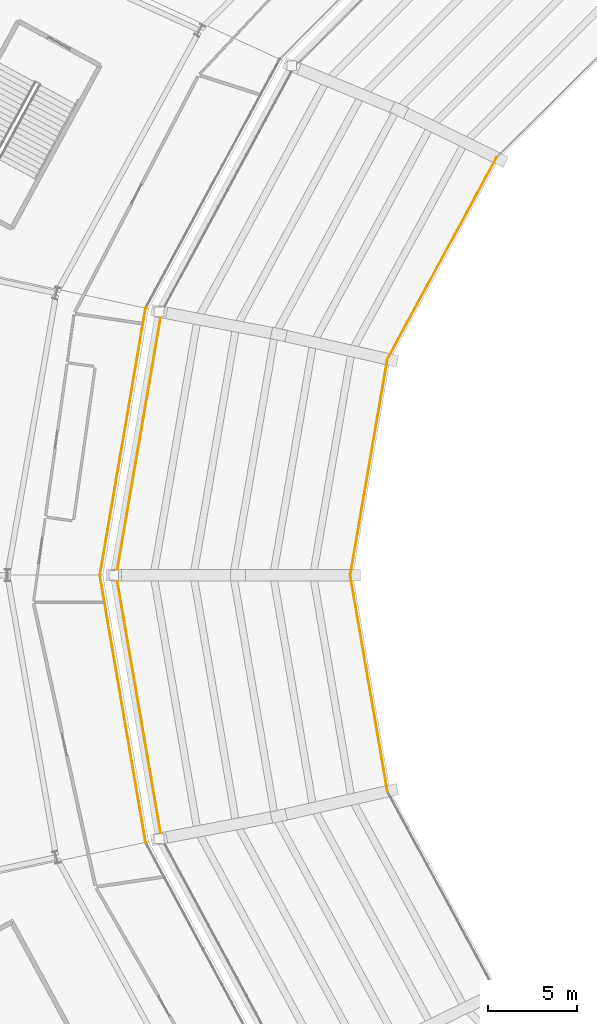
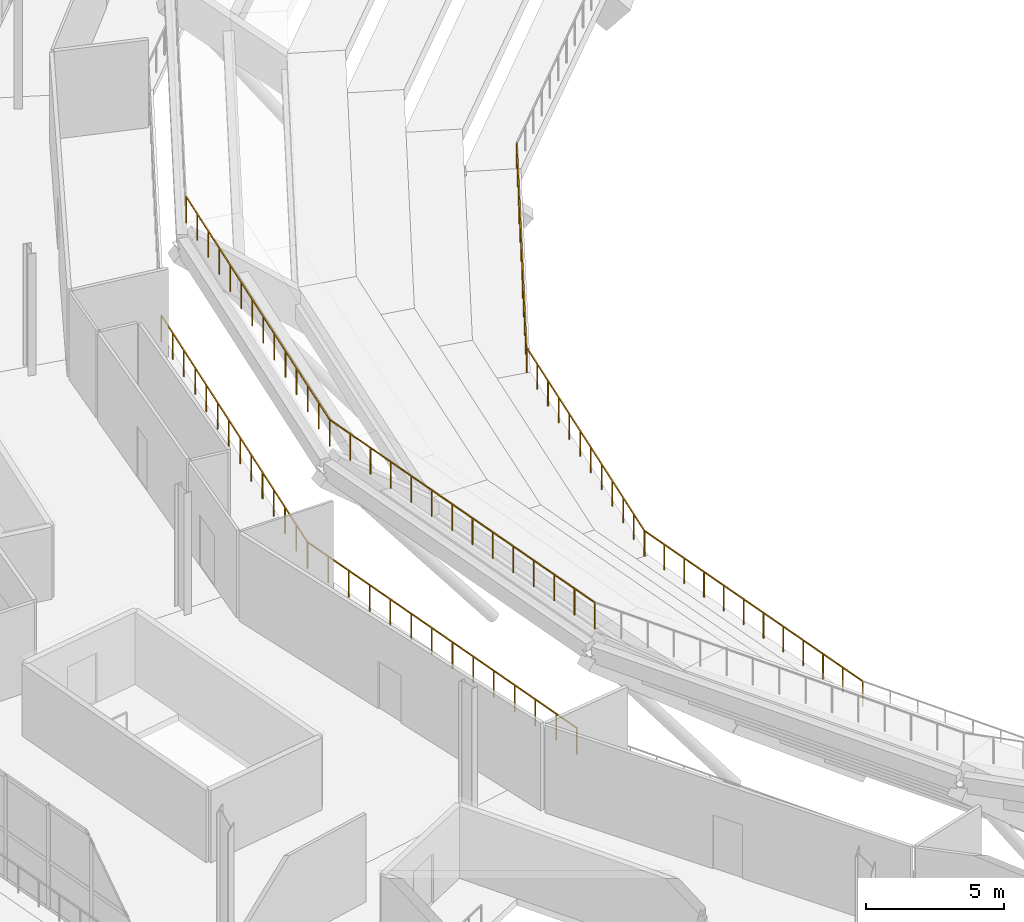
# One storey, part 112 of 126: 7 railings.
"""IFC4 building model written with IfcOpenShell, lengths in metres."""

import ifcopenshell
import ifcopenshell.guid

model = None  # the IFC model being written
_history = None  # IfcOwnerHistory: only IFC2X3 demands one
_inside = {}  # id of a spatial element -> (the spatial element, [elements in it])
_under = {}  # id of a project, library or spatial element -> (it, [spatial elements below it])
_declared = {}  # id of a project -> (the project, [libraries it declares])
_typed = {}  # id of a type object -> (the type object, [elements of that type])
_made_of = {}  # id of a material, layer set ... -> (it, [elements and type objects made of it])


def new_model(schema):
    """Start an empty IFC model of exactly this schema.

    Asked for "IFC4X3", IfcOpenShell would pick the latest addendum, in which some entities
    have other attributes; the version numbers below select the first issue.
    IFC2X3 requires an IfcOwnerHistory on every rooted entity: one is made here for all.
    """
    global model, _history
    if schema == "IFC4X3":
        model = ifcopenshell.file(schema_version=(4, 3, 0, 0))
    else:
        model = ifcopenshell.file(schema=schema)
    _inside.clear()
    _under.clear()
    _declared.clear()
    _typed.clear()
    _made_of.clear()
    _history = None
    if model.schema == "IFC2X3":
        org = make("IfcOrganization", Name="unknown")
        user = make(
            "IfcPersonAndOrganization",
            ThePerson=make("IfcPerson", FamilyName="unknown"),
            TheOrganization=org,
        )
        app = make(
            "IfcApplication",
            ApplicationDeveloper=org,
            Version="unknown",
            ApplicationFullName="unknown",
            ApplicationIdentifier="unknown",
        )
        _history = make(
            "IfcOwnerHistory",
            OwningUser=user,
            OwningApplication=app,
            ChangeAction="ADDED",
            CreationDate=0,
        )
    return model


def make(cls, **values):
    """One entity of the class cls with the attributes given. An attribute that is None is left unset."""
    return model.create_entity(
        cls, **{name: value for name, value in values.items() if value is not None}
    )


def rooted(cls, **values):
    """An entity with a GlobalId (a new one), such as an element, a storey or a relation."""
    return make(cls, GlobalId=ifcopenshell.guid.new(), OwnerHistory=_history, **values)


def si_unit(unit_type, name, prefix=None):
    """IfcSIUnit, for example si_unit("LENGTHUNIT", "METRE", prefix="MILLI")."""
    return make("IfcSIUnit", UnitType=unit_type, Prefix=prefix, Name=name)


def assignment(units):
    """IfcUnitAssignment: the units of a project."""
    return None if units is None else make("IfcUnitAssignment", Units=units)


def point(xyz):
    """IfcCartesianPoint."""
    return None if xyz is None else make("IfcCartesianPoint", Coordinates=xyz)


def direction(xyz):
    """IfcDirection."""
    return None if xyz is None else make("IfcDirection", DirectionRatios=xyz)


def frame(location, z_axis=None, x_axis=None):
    """IfcAxis2Placement3D, a coordinate frame: its origin and axes. An axis left out is left unset."""
    return make(
        "IfcAxis2Placement3D",
        Location=point(location),
        Axis=direction(z_axis),
        RefDirection=direction(x_axis),
    )


def frame_2d(location, x_axis=None):
    """IfcAxis2Placement2D, a coordinate frame in the plane: its origin and x axis."""
    return make(
        "IfcAxis2Placement2D", Location=point(location), RefDirection=direction(x_axis)
    )


def origin():
    """The frame at (0, 0, 0) with its axes left unset."""
    return frame((0.0, 0.0, 0.0))


def origin_2d():
    """The frame at (0, 0) in the plane with its x axis left unset."""
    return frame_2d((0.0, 0.0))


def place(relative_to, where):
    """IfcLocalPlacement: puts the frame where relative to a parent placement (None: the world)."""
    return make(
        "IfcLocalPlacement", PlacementRelTo=relative_to, RelativePlacement=where
    )


def context(
    kind, dimensions, precision=None, world=None, true_north=None, identifier=None
):
    """IfcGeometricRepresentationContext, for example the 3D "Model" context."""
    return make(
        "IfcGeometricRepresentationContext",
        ContextIdentifier=identifier,
        ContextType=kind,
        CoordinateSpaceDimension=dimensions,
        Precision=precision,
        WorldCoordinateSystem=world,
        TrueNorth=true_north,
    )


def subcontext(parent, identifier, kind, view, scale=None):
    """IfcGeometricRepresentationSubContext, for example "Body" below "Model"."""
    return make(
        "IfcGeometricRepresentationSubContext",
        ContextIdentifier=identifier,
        ContextType=kind,
        ParentContext=parent,
        TargetScale=scale,
        TargetView=view,
    )


def project(units=None, contexts=None):
    """IfcProject with its units and contexts."""
    return rooted(
        "IfcProject",
        Name="project",
        RepresentationContexts=contexts,
        UnitsInContext=assignment(units),
    )


def spatial(cls, under=None, at=None, **own):
    """A site, building, storey or space (cls), placed at a placement, below another one or the project."""
    s = rooted(cls, ObjectPlacement=at, **own)
    if under is not None:
        _under.setdefault(under.id(), (under, []))[1].append(s)
    return s


def profile(cls, at=None, kind="AREA", **sizes):
    """A parametric profile (cls). Its sizes go by their IFC names, for example OverallWidth=200.0."""
    return make(cls, ProfileType=kind, Position=at, **sizes)


def rectangle(**sizes):
    """IfcRectangleProfileDef."""
    return profile("IfcRectangleProfileDef", **sizes)


def extrude(swept, where, along, depth):
    """IfcExtrudedAreaSolid: the profile swept, set in the frame where, extruded along a direction by depth."""
    return make(
        "IfcExtrudedAreaSolid",
        SweptArea=swept,
        Position=where,
        ExtrudedDirection=direction(along),
        Depth=depth,
    )


def shape(context_of_items, identifier, shape_type, items):
    """IfcShapeRepresentation: the items that make up one representation, for example the "Body"."""
    return make(
        "IfcShapeRepresentation",
        ContextOfItems=context_of_items,
        RepresentationIdentifier=identifier,
        RepresentationType=shape_type,
        Items=items,
    )


def material(Name=None, Category=None):
    """IfcMaterial."""
    return make("IfcMaterial", Name=Name, Category=Category)


def made_of(thing, what):
    """Note that an element or type object is made of a material, layer set ...; save() writes the relation."""
    if what is not None:
        _made_of.setdefault(what.id(), (what, []))[1].append(thing)
    return thing


def type_object(cls, material=None, **own):
    """A type object (cls), such as IfcWallType, which elements share."""
    return made_of(rooted(cls, **own), material)


def element(
    cls,
    number,
    at=None,
    inside=None,
    cuts=None,
    type_object=None,
    material=None,
    context=None,
    identifier="Body",
    shape_type=None,
    held_by="IfcProductDefinitionShape",
    body=None,
    shapes=None,
    **own,
):
    """One element of the class cls, such as IfcWall. Its Tag is "e" and its number.

    at: its placement. inside: the storey or other place that contains it. cuts: it is an
    opening in that element (IfcRelVoidsElement). A single representation is given by context,
    identifier, shape_type and body (its items); several are given by shapes. held_by: the class
    of the entity that holds the representations. save() writes the other relations.
    """
    e = rooted(cls, Tag="e%d" % number, ObjectPlacement=at, **own)
    if body is not None:
        shapes = [shape(context, identifier, shape_type, body)]
    if shapes is not None:
        e.Representation = make(held_by, Representations=shapes)
    if inside is not None:
        _inside.setdefault(inside.id(), (inside, []))[1].append(e)
    if cuts is not None:
        rooted(
            "IfcRelVoidsElement", RelatingBuildingElement=cuts, RelatedOpeningElement=e
        )
    if type_object is not None:
        _typed.setdefault(type_object.id(), (type_object, []))[1].append(e)
    return made_of(e, material)


def aggregate(whole, parts):
    """IfcRelAggregates: a whole, such as a stair, and the parts it consists of."""
    return rooted("IfcRelAggregates", RelatingObject=whole, RelatedObjects=parts)


def save(model, path):
    """Write the relations noted so far, then the file.

    IfcRelAggregates (storeys below a building ...), IfcRelContainedInSpatialStructure (elements
    in a storey), IfcRelDefinesByType, IfcRelAssociatesMaterial and IfcRelDeclares: one each for
    every whole, place, type object, material and project.
    """
    for whole, parts in _under.values():
        aggregate(whole, parts)
    for where, things in _inside.values():
        rooted(
            "IfcRelContainedInSpatialStructure",
            RelatedElements=things,
            RelatingStructure=where,
        )
    for kind, things in _typed.values():
        rooted("IfcRelDefinesByType", RelatedObjects=things, RelatingType=kind)
    for what, things in _made_of.values():
        rooted("IfcRelAssociatesMaterial", RelatedObjects=things, RelatingMaterial=what)
    for by, libraries in _declared.values():
        rooted("IfcRelDeclares", RelatingContext=by, RelatedDefinitions=libraries)
    model.write(path)


model = new_model("IFC4")

# Units and contexts
model_context = context("Model", 3, precision=1e-05, world=origin(), true_north=direction((0.0, 1.0)))
body_context = subcontext(model_context, "Body", "Model", "MODEL_VIEW")
ifc_project = project(units=[si_unit("LENGTHUNIT", "METRE"), si_unit("AREAUNIT", "SQUARE_METRE"), si_unit("VOLUMEUNIT", "CUBIC_METRE"), si_unit("PLANEANGLEUNIT", "RADIAN"), si_unit("MASSUNIT", "GRAM", prefix="KILO")], contexts=[model_context])

# Site, building, storey
site_placement = place(None, origin())
site = spatial("IfcSite", under=ifc_project, at=site_placement, CompositionType="ELEMENT")
building_placement = place(site_placement, origin())
building = spatial("IfcBuilding", under=site, at=building_placement, Name="Zlatoyarsky Gate Stadium", CompositionType="ELEMENT")
storey_placement = place(building_placement, frame((0.0, 0.0, 20.800048828125)))
storey = spatial("IfcBuildingStorey", under=building, at=storey_placement, Name="L04", CompositionType="ELEMENT", Elevation=20.800048828125)

# Railings
ifc_material_1 = material(Name="Galvanised steel sightline guardrail", Category="steel")
railing_type_1 = type_object("IfcRailingType", Name="BOWL FRONT SIGHTLINE GUARDRAIL 1150", PredefinedType="GUARDRAIL", material=ifc_material_1)
railing_1_placement = place(storey_placement, frame((57.609619140625, 103.574951171875, -4.400146484375)))
element("IfcRailing", 1, at=railing_1_placement, inside=storey, type_object=railing_type_1, Name="Upper bowl front guardrail 10", PredefinedType="GUARDRAIL", context=body_context, shape_type="SweptSolid", body=[
    extrude(rectangle(XDim=0.048095703125, YDim=0.048095703125, at=origin_2d()), frame((0.0, 0.0, 1.1259765625), z_axis=(-0.476243009473, -0.879313707347, 0.0), x_axis=(0.879313707347, -0.476243009473, 0.0)), (0.0, 0.0, 1.0), 12.932373046875),
    extrude(rectangle(XDim=0.0419921875, YDim=0.0419921875, at=origin_2d()), origin(), (0.0, 0.0, 1.0), 1.101806640625),
    extrude(rectangle(XDim=0.0419921875, YDim=0.0419921875, at=origin_2d()), frame((-0.559814453125, -1.03369140625, 0.0)), (0.0, 0.0, 1.0), 1.101806640625),
    extrude(rectangle(XDim=0.0419921875, YDim=0.0419921875, at=origin_2d()), frame((-1.119873046875, -2.067626953125, 0.0)), (0.0, 0.0, 1.0), 1.101806640625),
    extrude(rectangle(XDim=0.0419921875, YDim=0.0419921875, at=origin_2d()), frame((-1.6796875, -3.101318359375, 0.0)), (0.0, 0.0, 1.0), 1.101806640625),
    extrude(rectangle(XDim=0.0419921875, YDim=0.0419921875, at=origin_2d()), frame((-2.239501953125, -4.135009765625, 0.0)), (0.0, 0.0, 1.0), 1.101806640625),
    extrude(rectangle(XDim=0.0419921875, YDim=0.0419921875, at=origin_2d()), frame((-2.799560546875, -5.1689453125, 0.0)), (0.0, 0.0, 1.0), 1.101806640625),
    extrude(rectangle(XDim=0.0419921875, YDim=0.0419921875, at=origin_2d()), frame((-3.359375, -6.20263671875, 0.0)), (0.0, 0.0, 1.0), 1.101806640625),
    extrude(rectangle(XDim=0.0419921875, YDim=0.0419921875, at=origin_2d()), frame((-3.91943359375, -7.236572265625, 0.0)), (0.0, 0.0, 1.0), 1.101806640625),
    extrude(rectangle(XDim=0.0419921875, YDim=0.0419921875, at=origin_2d()), frame((-4.479248046875, -8.270263671875, 0.0)), (0.0, 0.0, 1.0), 1.101806640625),
    extrude(rectangle(XDim=0.0419921875, YDim=0.0419921875, at=origin_2d()), frame((-5.0390625, -9.303955078125, 0.0)), (0.0, 0.0, 1.0), 1.101806640625),
    extrude(rectangle(XDim=0.0419921875, YDim=0.0419921875, at=origin_2d()), frame((-5.59912109375, -10.337890625, 0.0)), (0.0, 0.0, 1.0), 1.101806640625),
    extrude(rectangle(XDim=0.0419921875, YDim=0.0419921875, at=origin_2d()), frame((-6.158935546875, -11.37158203125, 0.0)), (0.0, 0.0, 1.0), 1.101806640625),
])
railing_2_placement = place(storey_placement, frame((51.45068359375, 92.203369140625, -4.400146484375)))
element("IfcRailing", 2, at=railing_2_placement, inside=storey, type_object=railing_type_1, Name="Upper bowl front guardrail 11", PredefinedType="GUARDRAIL", context=body_context, shape_type="SweptSolid", body=[
    extrude(rectangle(XDim=0.048095703125, YDim=0.048095703125, at=origin_2d()), frame((0.0, 0.0, 1.1259765625), z_axis=(-0.169636873131, -0.985506636849, 0.0), x_axis=(0.985506636849, -0.169636873131, 0.0)), (0.0, 0.0, 1.0), 12.3828125),
    extrude(rectangle(XDim=0.0419921875, YDim=0.0419921875, at=origin_2d()), origin(), (0.0, 0.0, 1.0), 1.101806640625),
    extrude(rectangle(XDim=0.0419921875, YDim=0.0419921875, at=origin_2d()), frame((-0.19091796875, -1.109375, 0.0)), (0.0, 0.0, 1.0), 1.101806640625),
    extrude(rectangle(XDim=0.0419921875, YDim=0.0419921875, at=origin_2d()), frame((-0.3818359375, -2.21875, 0.0)), (0.0, 0.0, 1.0), 1.101806640625),
    extrude(rectangle(XDim=0.0419921875, YDim=0.0419921875, at=origin_2d()), frame((-0.572998046875, -3.328125, 0.0)), (0.0, 0.0, 1.0), 1.101806640625),
    extrude(rectangle(XDim=0.0419921875, YDim=0.0419921875, at=origin_2d()), frame((-0.763916015625, -4.4375, 0.0)), (0.0, 0.0, 1.0), 1.101806640625),
    extrude(rectangle(XDim=0.0419921875, YDim=0.0419921875, at=origin_2d()), frame((-0.954833984375, -5.546875, 0.0)), (0.0, 0.0, 1.0), 1.101806640625),
    extrude(rectangle(XDim=0.0419921875, YDim=0.0419921875, at=origin_2d()), frame((-1.145751953125, -6.656494140625, 0.0)), (0.0, 0.0, 1.0), 1.101806640625),
    extrude(rectangle(XDim=0.0419921875, YDim=0.0419921875, at=origin_2d()), frame((-1.336669921875, -7.765869140625, 0.0)), (0.0, 0.0, 1.0), 1.101806640625),
    extrude(rectangle(XDim=0.0419921875, YDim=0.0419921875, at=origin_2d()), frame((-1.527587890625, -8.875244140625, 0.0)), (0.0, 0.0, 1.0), 1.101806640625),
    extrude(rectangle(XDim=0.0419921875, YDim=0.0419921875, at=origin_2d()), frame((-1.71875, -9.984619140625, 0.0)), (0.0, 0.0, 1.0), 1.101806640625),
    extrude(rectangle(XDim=0.0419921875, YDim=0.0419921875, at=origin_2d()), frame((-1.90966796875, -11.093994140625, 0.0)), (0.0, 0.0, 1.0), 1.101806640625),
    extrude(rectangle(XDim=0.0419921875, YDim=0.0419921875, at=origin_2d()), frame((-2.1005859375, -12.203369140625, 0.0)), (0.0, 0.0, 1.0), 1.101806640625),
])
railing_3_placement = place(storey_placement, frame((49.35009765625, 80.0, -4.400146484375)))
element("IfcRailing", 3, at=railing_3_placement, inside=storey, type_object=railing_type_1, Name="Upper bowl front guardrail 12", PredefinedType="GUARDRAIL", context=body_context, shape_type="SweptSolid", body=[
    extrude(rectangle(XDim=0.048095703125, YDim=0.048095703125, at=origin_2d()), frame((0.0, 0.0, 1.1259765625), z_axis=(0.169636873131, -0.985506636849, 0.0), x_axis=(0.985506636849, 0.169636873131, 0.0)), (0.0, 0.0, 1.0), 12.3828125),
    extrude(rectangle(XDim=0.0419921875, YDim=0.0419921875, at=origin_2d()), origin(), (0.0, 0.0, 1.0), 1.101806640625),
    extrude(rectangle(XDim=0.0419921875, YDim=0.0419921875, at=origin_2d()), frame((0.19091796875, -1.109375, 0.0)), (0.0, 0.0, 1.0), 1.101806640625),
    extrude(rectangle(XDim=0.0419921875, YDim=0.0419921875, at=origin_2d()), frame((0.3818359375, -2.21875, 0.0)), (0.0, 0.0, 1.0), 1.101806640625),
    extrude(rectangle(XDim=0.0419921875, YDim=0.0419921875, at=origin_2d()), frame((0.572998046875, -3.328125, 0.0)), (0.0, 0.0, 1.0), 1.101806640625),
    extrude(rectangle(XDim=0.0419921875, YDim=0.0419921875, at=origin_2d()), frame((0.763916015625, -4.4375, 0.0)), (0.0, 0.0, 1.0), 1.101806640625),
    extrude(rectangle(XDim=0.0419921875, YDim=0.0419921875, at=origin_2d()), frame((0.954833984375, -5.546875, 0.0)), (0.0, 0.0, 1.0), 1.101806640625),
    extrude(rectangle(XDim=0.0419921875, YDim=0.0419921875, at=origin_2d()), frame((1.145751953125, -6.656494140625, 0.0)), (0.0, 0.0, 1.0), 1.101806640625),
    extrude(rectangle(XDim=0.0419921875, YDim=0.0419921875, at=origin_2d()), frame((1.336669921875, -7.765869140625, 0.0)), (0.0, 0.0, 1.0), 1.101806640625),
    extrude(rectangle(XDim=0.0419921875, YDim=0.0419921875, at=origin_2d()), frame((1.527587890625, -8.875244140625, 0.0)), (0.0, 0.0, 1.0), 1.101806640625),
    extrude(rectangle(XDim=0.0419921875, YDim=0.0419921875, at=origin_2d()), frame((1.71875, -9.984619140625, 0.0)), (0.0, 0.0, 1.0), 1.101806640625),
    extrude(rectangle(XDim=0.0419921875, YDim=0.0419921875, at=origin_2d()), frame((1.90966796875, -11.093994140625, 0.0)), (0.0, 0.0, 1.0), 1.101806640625),
    extrude(rectangle(XDim=0.0419921875, YDim=0.0419921875, at=origin_2d()), frame((2.1005859375, -12.203369140625, 0.0)), (0.0, 0.0, 1.0), 1.101806640625),
])
ifc_material_2 = material(Name="Powder-coated steel tubular guardrail", Category="steel")
railing_type_2 = type_object("IfcRailingType", Name="CONCOURSE SLAB EDGE GUARDRAIL 1200", PredefinedType="GUARDRAIL", material=ifc_material_2)
railing_4_placement = place(storey_placement, frame((38.700439453125, 94.84326171875, 5.099853515625)))
element("IfcRailing", 4, at=railing_4_placement, inside=storey, type_object=railing_type_2, Name="Upper bowl back guardrail 11", PredefinedType="GUARDRAIL", context=body_context, shape_type="SweptSolid", body=[
    extrude(rectangle(XDim=0.048095703125, YDim=0.048095703125, at=origin_2d()), frame((0.0, 0.0, 1.17578125), z_axis=(-0.169349392239, -0.985556078236, 0.0), x_axis=(0.985556078236, -0.169349392239, 0.0)), (0.0, 0.0, 1.0), 15.060791015625),
    extrude(rectangle(XDim=0.0419921875, YDim=0.0419921875, at=origin_2d()), origin(), (0.0, 0.0, 1.0), 1.15185546875),
    extrude(rectangle(XDim=0.0419921875, YDim=0.0419921875, at=origin_2d()), frame((-0.1962890625, -1.141845703125, 0.0)), (0.0, 0.0, 1.0), 1.15185546875),
    extrude(rectangle(XDim=0.0419921875, YDim=0.0419921875, at=origin_2d()), frame((-0.392333984375, -2.28369140625, 0.0)), (0.0, 0.0, 1.0), 1.15185546875),
    extrude(rectangle(XDim=0.0419921875, YDim=0.0419921875, at=origin_2d()), frame((-0.588623046875, -3.42529296875, 0.0)), (0.0, 0.0, 1.0), 1.15185546875),
    extrude(rectangle(XDim=0.0419921875, YDim=0.0419921875, at=origin_2d()), frame((-0.78466796875, -4.567138671875, 0.0)), (0.0, 0.0, 1.0), 1.15185546875),
    extrude(rectangle(XDim=0.0419921875, YDim=0.0419921875, at=origin_2d()), frame((-0.98095703125, -5.708984375, 0.0)), (0.0, 0.0, 1.0), 1.15185546875),
    extrude(rectangle(XDim=0.0419921875, YDim=0.0419921875, at=origin_2d()), frame((-1.17724609375, -6.850830078125, 0.0)), (0.0, 0.0, 1.0), 1.15185546875),
    extrude(rectangle(XDim=0.0419921875, YDim=0.0419921875, at=origin_2d()), frame((-1.373291015625, -7.992431640625, 0.0)), (0.0, 0.0, 1.0), 1.15185546875),
    extrude(rectangle(XDim=0.0419921875, YDim=0.0419921875, at=origin_2d()), frame((-1.569580078125, -9.13427734375, 0.0)), (0.0, 0.0, 1.0), 1.15185546875),
    extrude(rectangle(XDim=0.0419921875, YDim=0.0419921875, at=origin_2d()), frame((-1.765869140625, -10.276123046875, 0.0)), (0.0, 0.0, 1.0), 1.15185546875),
    extrude(rectangle(XDim=0.0419921875, YDim=0.0419921875, at=origin_2d()), frame((-1.9619140625, -11.41796875, 0.0)), (0.0, 0.0, 1.0), 1.15185546875),
    extrude(rectangle(XDim=0.0419921875, YDim=0.0419921875, at=origin_2d()), frame((-2.158203125, -12.5595703125, 0.0)), (0.0, 0.0, 1.0), 1.15185546875),
    extrude(rectangle(XDim=0.0419921875, YDim=0.0419921875, at=origin_2d()), frame((-2.354248046875, -13.701416015625, 0.0)), (0.0, 0.0, 1.0), 1.15185546875),
    extrude(rectangle(XDim=0.0419921875, YDim=0.0419921875, at=origin_2d()), frame((-2.550537109375, -14.84326171875, 0.0)), (0.0, 0.0, 1.0), 1.15185546875),
])
railing_5_placement = place(storey_placement, frame((37.802001953125, 95.083984375, 0.0)))
element("IfcRailing", 5, at=railing_5_placement, inside=storey, type_object=railing_type_2, Name="L04 inner bowl edge guardrail 11", PredefinedType="GUARDRAIL", context=body_context, shape_type="SweptSolid", body=[
    extrude(rectangle(XDim=0.048095703125, YDim=0.048095703125, at=origin_2d()), frame((0.0, 0.0, 1.17578125), z_axis=(-0.16872292797, -0.985663519451, 0.0), x_axis=(0.985663519451, -0.16872292797, 0.0)), (0.0, 0.0, 1.0), 15.303466796875),
    extrude(rectangle(XDim=0.0419921875, YDim=0.0419921875, at=origin_2d()), origin(), (0.0, 0.0, 1.0), 1.15185546875),
    extrude(rectangle(XDim=0.0419921875, YDim=0.0419921875, at=origin_2d()), frame((-0.19873046875, -1.160400390625, 0.0)), (0.0, 0.0, 1.0), 1.15185546875),
    extrude(rectangle(XDim=0.0419921875, YDim=0.0419921875, at=origin_2d()), frame((-0.397216796875, -2.320556640625, 0.0)), (0.0, 0.0, 1.0), 1.15185546875),
    extrude(rectangle(XDim=0.0419921875, YDim=0.0419921875, at=origin_2d()), frame((-0.595947265625, -3.48095703125, 0.0)), (0.0, 0.0, 1.0), 1.15185546875),
    extrude(rectangle(XDim=0.0419921875, YDim=0.0419921875, at=origin_2d()), frame((-0.79443359375, -4.64111328125, 0.0)), (0.0, 0.0, 1.0), 1.15185546875),
    extrude(rectangle(XDim=0.0419921875, YDim=0.0419921875, at=origin_2d()), frame((-0.9931640625, -5.801513671875, 0.0)), (0.0, 0.0, 1.0), 1.15185546875),
    extrude(rectangle(XDim=0.0419921875, YDim=0.0419921875, at=origin_2d()), frame((-1.191650390625, -6.9619140625, 0.0)), (0.0, 0.0, 1.0), 1.15185546875),
    extrude(rectangle(XDim=0.0419921875, YDim=0.0419921875, at=origin_2d()), frame((-1.390380859375, -8.1220703125, 0.0)), (0.0, 0.0, 1.0), 1.15185546875),
    extrude(rectangle(XDim=0.0419921875, YDim=0.0419921875, at=origin_2d()), frame((-1.5888671875, -9.282470703125, 0.0)), (0.0, 0.0, 1.0), 1.15185546875),
    extrude(rectangle(XDim=0.0419921875, YDim=0.0419921875, at=origin_2d()), frame((-1.78759765625, -10.44287109375, 0.0)), (0.0, 0.0, 1.0), 1.15185546875),
    extrude(rectangle(XDim=0.0419921875, YDim=0.0419921875, at=origin_2d()), frame((-1.986083984375, -11.60302734375, 0.0)), (0.0, 0.0, 1.0), 1.15185546875),
    extrude(rectangle(XDim=0.0419921875, YDim=0.0419921875, at=origin_2d()), frame((-2.184814453125, -12.763427734375, 0.0)), (0.0, 0.0, 1.0), 1.15185546875),
    extrude(rectangle(XDim=0.0419921875, YDim=0.0419921875, at=origin_2d()), frame((-2.38330078125, -13.923583984375, 0.0)), (0.0, 0.0, 1.0), 1.15185546875),
    extrude(rectangle(XDim=0.0419921875, YDim=0.0419921875, at=origin_2d()), frame((-2.58203125, -15.083984375, 0.0)), (0.0, 0.0, 1.0), 1.15185546875),
])
railing_6_placement = place(storey_placement, frame((36.14990234375, 80.0, 5.099853515625)))
element("IfcRailing", 6, at=railing_6_placement, inside=storey, type_object=railing_type_2, Name="Upper bowl back guardrail 12", PredefinedType="GUARDRAIL", context=body_context, shape_type="SweptSolid", body=[
    extrude(rectangle(XDim=0.048095703125, YDim=0.048095703125, at=origin_2d()), frame((0.0, 0.0, 1.17578125), z_axis=(0.169349392239, -0.985556078236, 0.0), x_axis=(0.985556078236, 0.169349392239, 0.0)), (0.0, 0.0, 1.0), 15.060791015625),
    extrude(rectangle(XDim=0.0419921875, YDim=0.0419921875, at=origin_2d()), origin(), (0.0, 0.0, 1.0), 1.15185546875),
    extrude(rectangle(XDim=0.0419921875, YDim=0.0419921875, at=origin_2d()), frame((0.1962890625, -1.141845703125, 0.0)), (0.0, 0.0, 1.0), 1.15185546875),
    extrude(rectangle(XDim=0.0419921875, YDim=0.0419921875, at=origin_2d()), frame((0.392333984375, -2.28369140625, 0.0)), (0.0, 0.0, 1.0), 1.15185546875),
    extrude(rectangle(XDim=0.0419921875, YDim=0.0419921875, at=origin_2d()), frame((0.588623046875, -3.42529296875, 0.0)), (0.0, 0.0, 1.0), 1.15185546875),
    extrude(rectangle(XDim=0.0419921875, YDim=0.0419921875, at=origin_2d()), frame((0.78466796875, -4.567138671875, 0.0)), (0.0, 0.0, 1.0), 1.15185546875),
    extrude(rectangle(XDim=0.0419921875, YDim=0.0419921875, at=origin_2d()), frame((0.98095703125, -5.708984375, 0.0)), (0.0, 0.0, 1.0), 1.15185546875),
    extrude(rectangle(XDim=0.0419921875, YDim=0.0419921875, at=origin_2d()), frame((1.17724609375, -6.850830078125, 0.0)), (0.0, 0.0, 1.0), 1.15185546875),
    extrude(rectangle(XDim=0.0419921875, YDim=0.0419921875, at=origin_2d()), frame((1.373291015625, -7.992431640625, 0.0)), (0.0, 0.0, 1.0), 1.15185546875),
    extrude(rectangle(XDim=0.0419921875, YDim=0.0419921875, at=origin_2d()), frame((1.569580078125, -9.13427734375, 0.0)), (0.0, 0.0, 1.0), 1.15185546875),
    extrude(rectangle(XDim=0.0419921875, YDim=0.0419921875, at=origin_2d()), frame((1.765869140625, -10.276123046875, 0.0)), (0.0, 0.0, 1.0), 1.15185546875),
    extrude(rectangle(XDim=0.0419921875, YDim=0.0419921875, at=origin_2d()), frame((1.9619140625, -11.41796875, 0.0)), (0.0, 0.0, 1.0), 1.15185546875),
    extrude(rectangle(XDim=0.0419921875, YDim=0.0419921875, at=origin_2d()), frame((2.158203125, -12.5595703125, 0.0)), (0.0, 0.0, 1.0), 1.15185546875),
    extrude(rectangle(XDim=0.0419921875, YDim=0.0419921875, at=origin_2d()), frame((2.354248046875, -13.701416015625, 0.0)), (0.0, 0.0, 1.0), 1.15185546875),
    extrude(rectangle(XDim=0.0419921875, YDim=0.0419921875, at=origin_2d()), frame((2.550537109375, -14.84326171875, 0.0)), (0.0, 0.0, 1.0), 1.15185546875),
])
railing_7_placement = place(storey_placement, frame((35.219970703125, 80.0, 0.0)))
element("IfcRailing", 7, at=railing_7_placement, inside=storey, type_object=railing_type_2, Name="L04 inner bowl edge guardrail 12", PredefinedType="GUARDRAIL", context=body_context, shape_type="SweptSolid", body=[
    extrude(rectangle(XDim=0.048095703125, YDim=0.048095703125, at=origin_2d()), frame((0.0, 0.0, 1.17578125), z_axis=(0.16872292797, -0.985663519451, 0.0), x_axis=(0.985663519451, 0.16872292797, 0.0)), (0.0, 0.0, 1.0), 15.303466796875),
    extrude(rectangle(XDim=0.0419921875, YDim=0.0419921875, at=origin_2d()), origin(), (0.0, 0.0, 1.0), 1.15185546875),
    extrude(rectangle(XDim=0.0419921875, YDim=0.0419921875, at=origin_2d()), frame((0.19873046875, -1.160400390625, 0.0)), (0.0, 0.0, 1.0), 1.15185546875),
    extrude(rectangle(XDim=0.0419921875, YDim=0.0419921875, at=origin_2d()), frame((0.397216796875, -2.320556640625, 0.0)), (0.0, 0.0, 1.0), 1.15185546875),
    extrude(rectangle(XDim=0.0419921875, YDim=0.0419921875, at=origin_2d()), frame((0.595947265625, -3.48095703125, 0.0)), (0.0, 0.0, 1.0), 1.15185546875),
    extrude(rectangle(XDim=0.0419921875, YDim=0.0419921875, at=origin_2d()), frame((0.79443359375, -4.64111328125, 0.0)), (0.0, 0.0, 1.0), 1.15185546875),
    extrude(rectangle(XDim=0.0419921875, YDim=0.0419921875, at=origin_2d()), frame((0.9931640625, -5.801513671875, 0.0)), (0.0, 0.0, 1.0), 1.15185546875),
    extrude(rectangle(XDim=0.0419921875, YDim=0.0419921875, at=origin_2d()), frame((1.191650390625, -6.9619140625, 0.0)), (0.0, 0.0, 1.0), 1.15185546875),
    extrude(rectangle(XDim=0.0419921875, YDim=0.0419921875, at=origin_2d()), frame((1.390380859375, -8.1220703125, 0.0)), (0.0, 0.0, 1.0), 1.15185546875),
    extrude(rectangle(XDim=0.0419921875, YDim=0.0419921875, at=origin_2d()), frame((1.5888671875, -9.282470703125, 0.0)), (0.0, 0.0, 1.0), 1.15185546875),
    extrude(rectangle(XDim=0.0419921875, YDim=0.0419921875, at=origin_2d()), frame((1.78759765625, -10.44287109375, 0.0)), (0.0, 0.0, 1.0), 1.15185546875),
    extrude(rectangle(XDim=0.0419921875, YDim=0.0419921875, at=origin_2d()), frame((1.986083984375, -11.60302734375, 0.0)), (0.0, 0.0, 1.0), 1.15185546875),
    extrude(rectangle(XDim=0.0419921875, YDim=0.0419921875, at=origin_2d()), frame((2.184814453125, -12.763427734375, 0.0)), (0.0, 0.0, 1.0), 1.15185546875),
    extrude(rectangle(XDim=0.0419921875, YDim=0.0419921875, at=origin_2d()), frame((2.38330078125, -13.923583984375, 0.0)), (0.0, 0.0, 1.0), 1.15185546875),
    extrude(rectangle(XDim=0.0419921875, YDim=0.0419921875, at=origin_2d()), frame((2.58203125, -15.083984375, 0.0)), (0.0, 0.0, 1.0), 1.15185546875),
])

save(model, "model.ifc")
